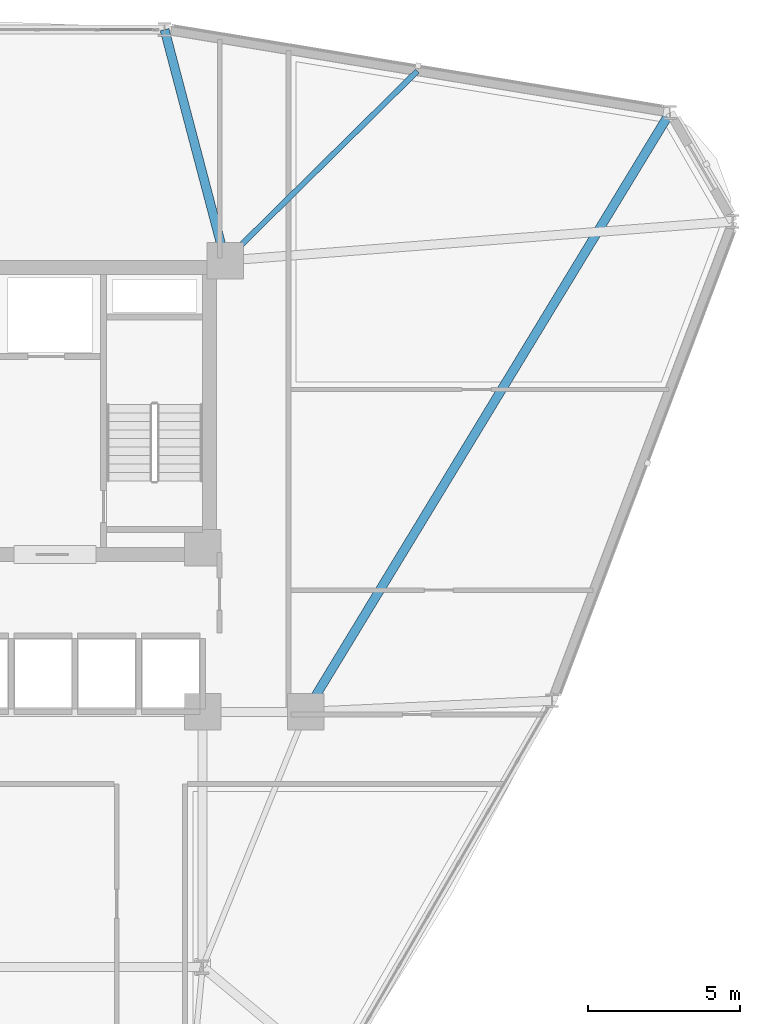
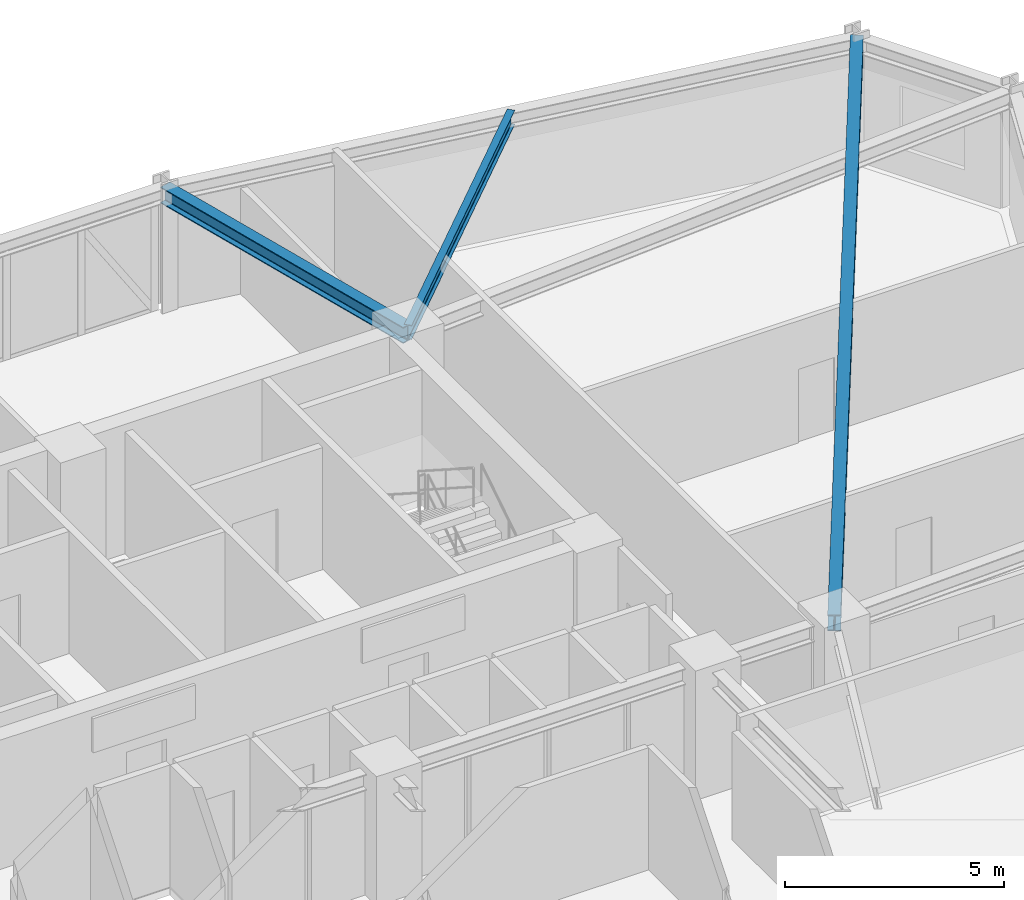
# One storey, part 9 of 17: 3 beams.
"""IFC4 building model written with IfcOpenShell, lengths in metres."""

from ifc_helpers import new_model, si_unit, derived_unit, direction, frame, origin, origin_2d, place, context, subcontext, project, spatial, i_section, extrude, source, transform, mapped, material, material_profile, profile_set, type_object, element, save


model = new_model("IFC4")

# Units and contexts
model_context = context("Model", 3, precision=1e-05, world=origin(), true_north=direction((0.0, 1.0)))
body_context = subcontext(model_context, "Body", "Model", "MODEL_VIEW")
ifc_project = project(units=[si_unit("LENGTHUNIT", "METRE"), si_unit("AREAUNIT", "SQUARE_METRE"), si_unit("VOLUMEUNIT", "CUBIC_METRE"), si_unit("PLANEANGLEUNIT", "RADIAN"), si_unit("MASSUNIT", "GRAM", prefix="KILO"), derived_unit("THERMALTRANSMITTANCEUNIT", [(si_unit("POWERUNIT", "WATT"), 1), (si_unit("LENGTHUNIT", "METRE"), -2), (si_unit("THERMODYNAMICTEMPERATUREUNIT", "KELVIN"), -1)])], contexts=[model_context])

# Site, building, storey
site_placement = place(None, origin())
site = spatial("IfcSite", under=ifc_project, at=site_placement, CompositionType="ELEMENT")
building_placement = place(site_placement, origin())
building = spatial("IfcBuilding", under=site, at=building_placement, Name="Korsvarv Bourse and Concert Hall", CompositionType="ELEMENT")
storey_placement = place(building_placement, frame((0.0, 0.0, 102.60009765625)))
storey = spatial("IfcBuildingStorey", under=building, at=storey_placement, Name="L25", CompositionType="ELEMENT", Elevation=102.60009765625)

# Beams
ifc_material = material(Name="Steel S355", Category="steel")
ifc_material_profile_1 = material_profile(ifc_material, i_section(OverallWidth=0.300048828125, OverallDepth=0.449951171875, WebThickness=0.013916015625, FlangeThickness=0.02587890625, FilletRadius=0.02099609375, at=origin_2d()), Name="HEB 450")
ifc_profile_set_1 = profile_set([ifc_material_profile_1], Name="Steel S355")
beam_type_1 = type_object("IfcBeamType", Name="BM-HEB450", PredefinedType="SPANDREL", material=ifc_profile_set_1)
shared_shape_1 = source(origin(), body_context, "Body", "SweptSolid", [
    extrude(i_section(OverallWidth=0.300048828125, OverallDepth=0.449951171875, WebThickness=0.013916015625, FlangeThickness=0.02587890625, FilletRadius=0.02099609375, at=origin_2d()), origin(), (0.0, 0.0, 1.0), 23.07470703125),
])
beam_1_placement = place(storey_placement, frame((59.78271484375, 52.119384765625, 3.1748046875), z_axis=(-0.51929864667, -0.854592836131, 0.0), x_axis=(0.854592836131, -0.51929864667, 0.0)))
element("IfcBeam", 1, at=beam_1_placement, inside=storey, type_object=beam_type_1, Name="L25 beam B-08", PredefinedType="SPANDREL", context=body_context, shape_type="MappedRepresentation", body=[
    mapped(shared_shape_1, transform((0.0, 0.0, 0.0), scale=1.0)),
])
shared_shape_2 = source(origin(), body_context, "Body", "SweptSolid", [
    extrude(i_section(OverallWidth=0.300048828125, OverallDepth=0.449951171875, WebThickness=0.013916015625, FlangeThickness=0.02587890625, FilletRadius=0.02099609375, at=origin_2d()), origin(), (0.0, 0.0, 1.0), 7.8603515625),
])
beam_2_placement = place(storey_placement, frame((43.1494140625, 54.8515625, 3.1748046875), z_axis=(0.254502472315, -0.96707212326, 0.0), x_axis=(0.96707212326, 0.254502472315, 0.0)))
element("IfcBeam", 2, at=beam_2_placement, inside=storey, type_object=beam_type_1, Name="L25 beam B-08", PredefinedType="SPANDREL", context=body_context, shape_type="MappedRepresentation", body=[
    mapped(shared_shape_2, transform((0.0, 0.0, 0.0), scale=1.0)),
])
ifc_material_profile_2 = material_profile(ifc_material, i_section(OverallWidth=0.179931640625, OverallDepth=0.39990234375, WebThickness=0.008544921875, FlangeThickness=0.013427734375, FilletRadius=0.02099609375, at=origin_2d()), Name="IPE 400")
ifc_profile_set_2 = profile_set([ifc_material_profile_2], Name="Steel S355")
beam_type_2 = type_object("IfcBeamType", Name="BM-IPE400", PredefinedType="JOIST", material=ifc_profile_set_2)
shared_shape_3 = source(origin(), body_context, "Body", "SweptSolid", [
    extrude(i_section(OverallWidth=0.179931640625, OverallDepth=0.39990234375, WebThickness=0.008544921875, FlangeThickness=0.013427734375, FilletRadius=0.02099609375, at=origin_2d()), origin(), (0.0, 0.0, 1.0), 8.875732421875),
])
beam_3_placement = place(storey_placement, frame((51.466064453125, 53.485595703125, 3.199951171875), z_axis=(-0.711630852678, -0.702553577684, 0.0), x_axis=(0.702553577684, -0.711630852678, 0.0)))
element("IfcBeam", 3, at=beam_3_placement, inside=storey, type_object=beam_type_2, Name="L25 beam J-05", PredefinedType="JOIST", context=body_context, shape_type="MappedRepresentation", body=[
    mapped(shared_shape_3, transform((0.0, 0.0, 0.0), scale=1.0)),
])

save(model, "model.ifc")
